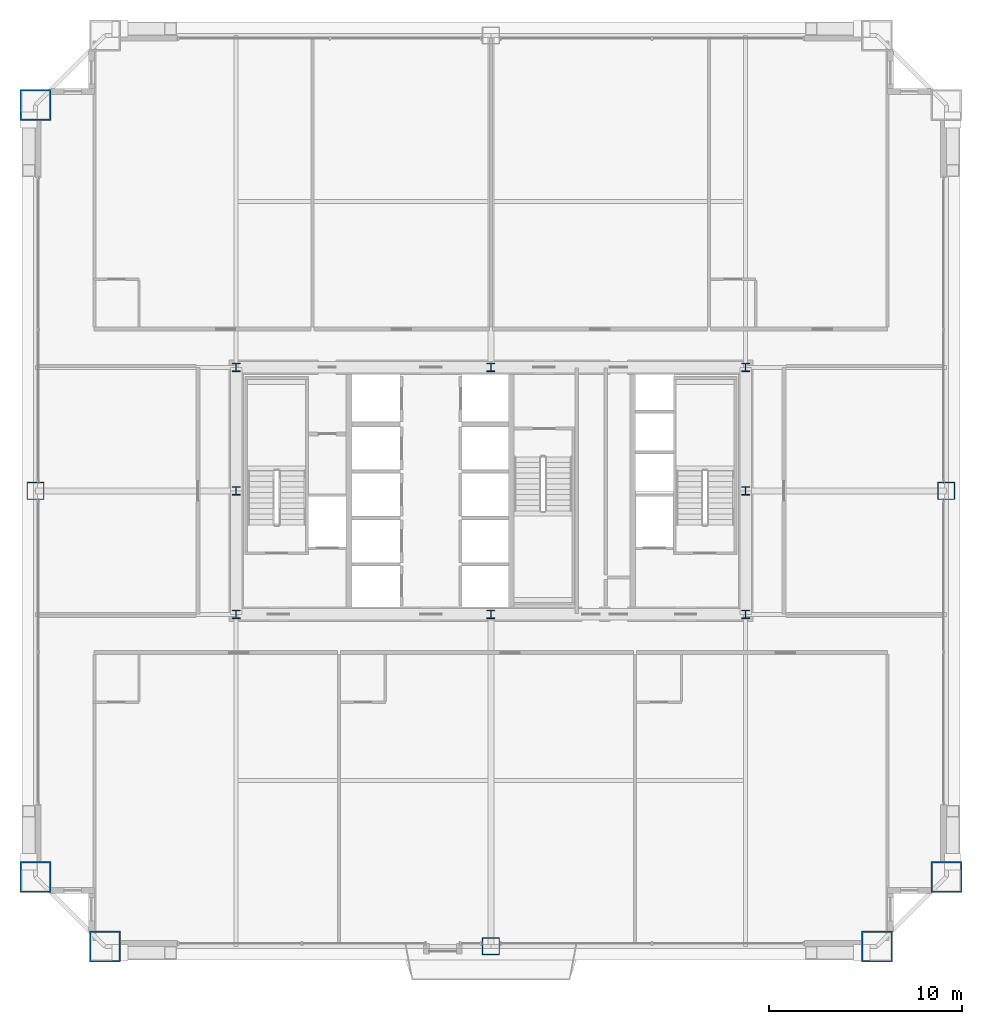
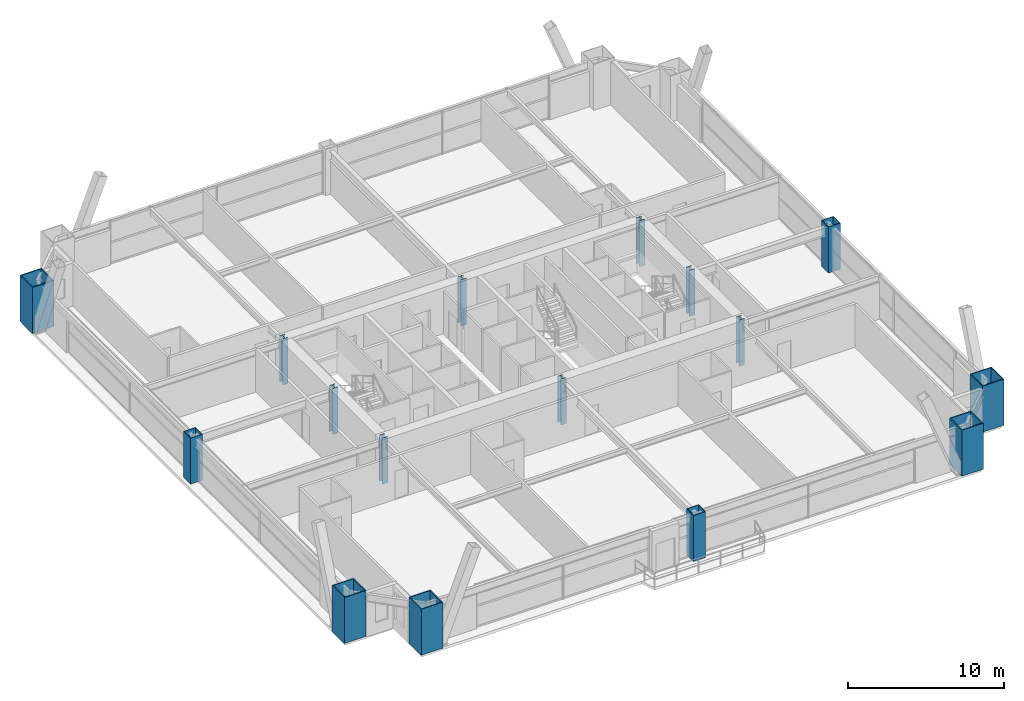
# One storey, part 1 of 43: 16 columns.
"""IFC4 building model written with IfcOpenShell, lengths in metres."""

from ifc_helpers import new_model, si_unit, direction, frame, origin, origin_2d, place, context, subcontext, project, spatial, hollow_rectangle, i_section, extrude, source, transform, mapped, material, material_profile, profile_set, type_object, element, save


model = new_model("IFC4")

# Units and contexts
model_context = context("Model", 3, precision=1e-05, world=origin(), true_north=direction((0.0, 1.0)))
body_context = subcontext(model_context, "Body", "Model", "MODEL_VIEW")
ifc_project = project(units=[si_unit("LENGTHUNIT", "METRE"), si_unit("AREAUNIT", "SQUARE_METRE"), si_unit("VOLUMEUNIT", "CUBIC_METRE"), si_unit("PLANEANGLEUNIT", "RADIAN"), si_unit("MASSUNIT", "GRAM", prefix="KILO"), si_unit("THERMODYNAMICTEMPERATUREUNIT", "KELVIN"), si_unit("POWERUNIT", "WATT")], contexts=[model_context])

# Site, building, storey
site_placement = place(None, origin())
site = spatial("IfcSite", under=ifc_project, at=site_placement, CompositionType="ELEMENT")
building_placement = place(site_placement, origin())
building = spatial("IfcBuilding", under=site, at=building_placement, Name="Yuzanri Waterfront Tower", CompositionType="ELEMENT")
storey_placement = place(building_placement, frame((0.0, 0.0, 108.199951171875)))
storey = spatial("IfcBuildingStorey", under=building, at=storey_placement, Name="L28", CompositionType="ELEMENT", Elevation=108.199951171875)

# Columns
ifc_material_1 = material(Name="Steel Q355B", Category="steel")
ifc_material_profile_1 = material_profile(ifc_material_1, i_section(OverallWidth=0.406982421875, OverallDepth=0.427978515625, WebThickness=0.02001953125, FlangeThickness=0.034912109375, at=origin_2d()), Name="HW 428x407x20x35")
ifc_profile_set_1 = profile_set([ifc_material_profile_1], Name="Steel Q355B")
column_type_1 = type_object("IfcColumnType", Name="Core Post Q355B HW 428x407x20x35", PredefinedType="COLUMN", material=ifc_profile_set_1)
shared_shape_1 = source(origin(), body_context, "Body", "SweptSolid", [
    extrude(i_section(OverallWidth=0.406982421875, OverallDepth=0.427978515625, WebThickness=0.02001953125, FlangeThickness=0.034912109375, at=origin_2d()), origin(), (0.0, 0.0, 1.0), 3.60009765625),
])
for number, where, z_axis, x_axis, name in (
    (1, (23.800048828125, 19.39990234375, 0.0), (0.0, 0.0, 1.0), (1.0, 0.0, 0.0), "L28 Core Boundary Column CP1"),
    (2, (37.0, 19.39990234375, 0.0), (0.0, 0.0, 1.0), (1.0, 0.0, 0.0), "L28 Core Boundary Column CP2"),
    (3, (50.199951171875, 19.39990234375, 0.0), (0.0, 0.0, 1.0), (1.0, 0.0, 0.0), "L28 Core Boundary Column CP3"),
    (4, (23.800048828125, 25.800048828125, 0.0), (0.0, 0.0, 1.0), (1.0, 0.0, 0.0), "L28 Core Boundary Column CP4"),
    (5, (50.199951171875, 25.800048828125, 0.0), (0.0, 0.0, 1.0), (1.0, 0.0, 0.0), "L28 Core Boundary Column CP5"),
    (6, (23.800048828125, 32.199951171875, 0.0), (0.0, 0.0, 1.0), (1.0, 0.0, 0.0), "L28 Core Boundary Column CP6"),
    (7, (37.0, 32.199951171875, 0.0), (0.0, 0.0, 1.0), (1.0, 0.0, 0.0), "L28 Core Boundary Column CP7"),
    (8, (50.199951171875, 32.199951171875, 0.0), (0.0, 0.0, 1.0), (1.0, 0.0, 0.0), "L28 Core Boundary Column CP8"),
):
    element("IfcColumn", number, at=place(storey_placement, frame(where, z_axis=z_axis, x_axis=x_axis)), inside=storey, type_object=column_type_1, Name=name, PredefinedType="COLUMN", context=body_context, shape_type="MappedRepresentation", body=[
        mapped(shared_shape_1, transform((0.0, 0.0, 0.0), scale=1.0)),
    ])
ifc_material_2 = material(Name="Steel Q390GJC", Category="steel")
ifc_material_profile_2 = material_profile(ifc_material_2, hollow_rectangle(XDim=0.89990234375, YDim=0.89990234375, WallThickness=0.0419921875, at=origin_2d()), Name="RHS 900x900x42")
ifc_profile_set_2 = profile_set([ifc_material_profile_2], Name="Steel Q390GJC")
column_type_2 = type_object("IfcColumnType", Name="Frame Column Q390GJC RHS 900x900x42", PredefinedType="COLUMN", material=ifc_profile_set_2)
shared_shape_2 = source(origin(), body_context, "Body", "SweptSolid", [
    extrude(hollow_rectangle(XDim=0.89990234375, YDim=0.89990234375, WallThickness=0.0419921875, at=origin_2d()), origin(), (0.0, 0.0, 1.0), 3.60009765625),
])
for number, where, z_axis, x_axis, name in (
    (9, (37.0, 2.199951171875, 0.0), (0.0, 0.0, 1.0), (1.0, 0.0, 0.0), "L28 Perimeter Frame Column S2"),
    (10, (13.39990234375, 25.800048828125, 0.0), (0.0, 0.0, 1.0), (1.0, 0.0, 0.0), "L28 Perimeter Frame Column W2"),
    (11, (60.60009765625, 25.800048828125, 0.0), (0.0, 0.0, 1.0), (1.0, 0.0, 0.0), "L28 Perimeter Frame Column E2"),
):
    element("IfcColumn", number, at=place(storey_placement, frame(where, z_axis=z_axis, x_axis=x_axis)), inside=storey, type_object=column_type_2, Name=name, PredefinedType="COLUMN", context=body_context, shape_type="MappedRepresentation", body=[
        mapped(shared_shape_2, transform((0.0, 0.0, 0.0), scale=1.0)),
    ])
ifc_material_3 = material(Name="Steel Q420GJC", Category="steel")
ifc_material_profile_3 = material_profile(ifc_material_3, hollow_rectangle(XDim=1.60009765625, YDim=1.60009765625, WallThickness=0.070068359375, at=origin_2d()), Name="RHS 1600x1600x70")
ifc_profile_set_3 = profile_set([ifc_material_profile_3], Name="Steel Q420GJC")
column_type_3 = type_object("IfcColumnType", Name="Mega Column Q420GJC RHS 1600x1600x70", PredefinedType="COLUMN", material=ifc_profile_set_3)
shared_shape_3 = source(origin(), body_context, "Body", "SweptSolid", [
    extrude(hollow_rectangle(XDim=1.60009765625, YDim=1.60009765625, WallThickness=0.070068359375, at=origin_2d()), origin(), (0.0, 0.0, 1.0), 3.60009765625),
])
for number, where, z_axis, x_axis, name in (
    (12, (17.0, 2.199951171875, 0.0), (0.0, 0.0, 1.0), (1.0, 0.0, 0.0), "L28 Perimeter Mega Column S1"),
    (13, (57.0, 2.199951171875, 0.0), (0.0, 0.0, 1.0), (1.0, 0.0, 0.0), "L28 Perimeter Mega Column S3"),
    (14, (13.39990234375, 5.800048828125, 0.0), (0.0, 0.0, 1.0), (1.0, 0.0, 0.0), "L28 Perimeter Mega Column W1"),
    (15, (13.39990234375, 45.800048828125, 0.0), (0.0, 0.0, 1.0), (1.0, 0.0, 0.0), "L28 Perimeter Mega Column W3"),
    (16, (60.60009765625, 5.800048828125, 0.0), (0.0, 0.0, 1.0), (1.0, 0.0, 0.0), "L28 Perimeter Mega Column E1"),
):
    element("IfcColumn", number, at=place(storey_placement, frame(where, z_axis=z_axis, x_axis=x_axis)), inside=storey, type_object=column_type_3, Name=name, PredefinedType="COLUMN", context=body_context, shape_type="MappedRepresentation", body=[
        mapped(shared_shape_3, transform((0.0, 0.0, 0.0), scale=1.0)),
    ])

save(model, "model.ifc")
